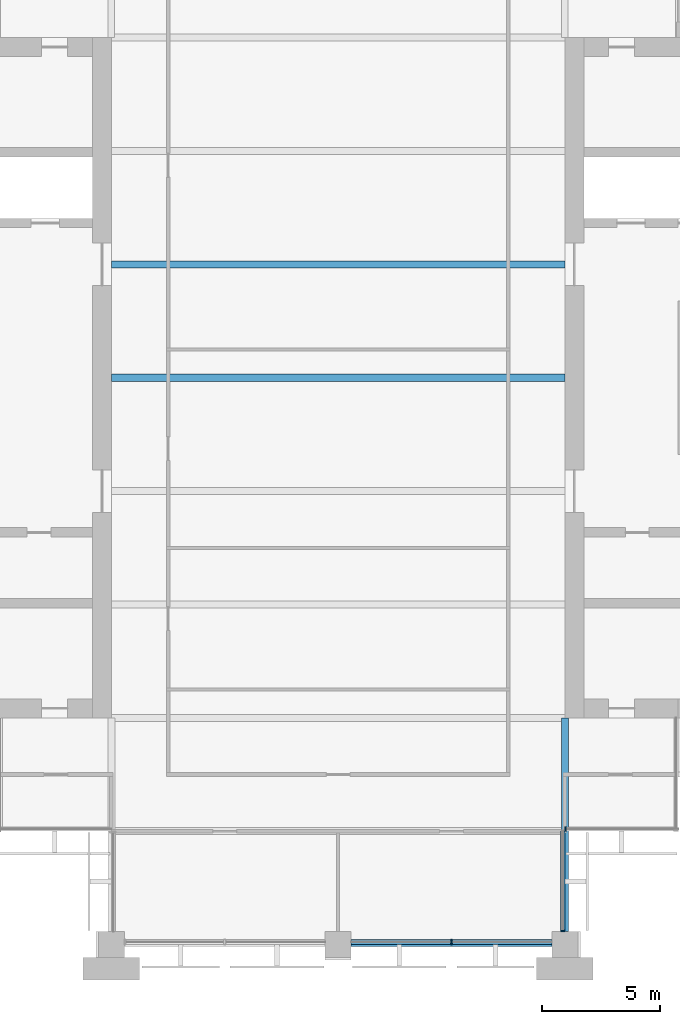
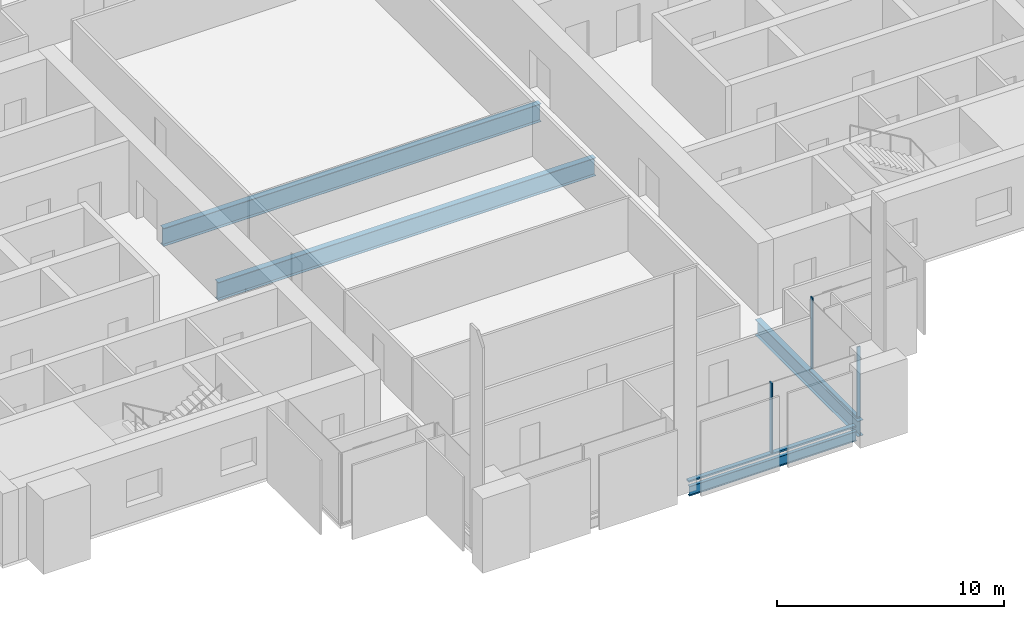
# One storey, part 3 of 13: 5 members, 4 beams, 3 elements without a shape of their own.
"""IFC4 building model written with IfcOpenShell, lengths in metres."""

import ifcopenshell
import ifcopenshell.guid

model = None  # the IFC model being written
_history = None  # IfcOwnerHistory: only IFC2X3 demands one
_inside = {}  # id of a spatial element -> (the spatial element, [elements in it])
_under = {}  # id of a project, library or spatial element -> (it, [spatial elements below it])
_declared = {}  # id of a project -> (the project, [libraries it declares])
_typed = {}  # id of a type object -> (the type object, [elements of that type])
_made_of = {}  # id of a material, layer set ... -> (it, [elements and type objects made of it])


def new_model(schema):
    """Start an empty IFC model of exactly this schema.

    Asked for "IFC4X3", IfcOpenShell would pick the latest addendum, in which some entities
    have other attributes; the version numbers below select the first issue.
    IFC2X3 requires an IfcOwnerHistory on every rooted entity: one is made here for all.
    """
    global model, _history
    if schema == "IFC4X3":
        model = ifcopenshell.file(schema_version=(4, 3, 0, 0))
    else:
        model = ifcopenshell.file(schema=schema)
    _inside.clear()
    _under.clear()
    _declared.clear()
    _typed.clear()
    _made_of.clear()
    _history = None
    if model.schema == "IFC2X3":
        org = make("IfcOrganization", Name="unknown")
        user = make(
            "IfcPersonAndOrganization",
            ThePerson=make("IfcPerson", FamilyName="unknown"),
            TheOrganization=org,
        )
        app = make(
            "IfcApplication",
            ApplicationDeveloper=org,
            Version="unknown",
            ApplicationFullName="unknown",
            ApplicationIdentifier="unknown",
        )
        _history = make(
            "IfcOwnerHistory",
            OwningUser=user,
            OwningApplication=app,
            ChangeAction="ADDED",
            CreationDate=0,
        )
    return model


def make(cls, **values):
    """One entity of the class cls with the attributes given. An attribute that is None is left unset."""
    return model.create_entity(
        cls, **{name: value for name, value in values.items() if value is not None}
    )


def rooted(cls, **values):
    """An entity with a GlobalId (a new one), such as an element, a storey or a relation."""
    return make(cls, GlobalId=ifcopenshell.guid.new(), OwnerHistory=_history, **values)


def si_unit(unit_type, name, prefix=None):
    """IfcSIUnit, for example si_unit("LENGTHUNIT", "METRE", prefix="MILLI")."""
    return make("IfcSIUnit", UnitType=unit_type, Prefix=prefix, Name=name)


def assignment(units):
    """IfcUnitAssignment: the units of a project."""
    return None if units is None else make("IfcUnitAssignment", Units=units)


def point(xyz):
    """IfcCartesianPoint."""
    return None if xyz is None else make("IfcCartesianPoint", Coordinates=xyz)


def direction(xyz):
    """IfcDirection."""
    return None if xyz is None else make("IfcDirection", DirectionRatios=xyz)


def frame(location, z_axis=None, x_axis=None):
    """IfcAxis2Placement3D, a coordinate frame: its origin and axes. An axis left out is left unset."""
    return make(
        "IfcAxis2Placement3D",
        Location=point(location),
        Axis=direction(z_axis),
        RefDirection=direction(x_axis),
    )


def frame_2d(location, x_axis=None):
    """IfcAxis2Placement2D, a coordinate frame in the plane: its origin and x axis."""
    return make(
        "IfcAxis2Placement2D", Location=point(location), RefDirection=direction(x_axis)
    )


def origin():
    """The frame at (0, 0, 0) with its axes left unset."""
    return frame((0.0, 0.0, 0.0))


def origin_2d():
    """The frame at (0, 0) in the plane with its x axis left unset."""
    return frame_2d((0.0, 0.0))


def place(relative_to, where):
    """IfcLocalPlacement: puts the frame where relative to a parent placement (None: the world)."""
    return make(
        "IfcLocalPlacement", PlacementRelTo=relative_to, RelativePlacement=where
    )


def context(
    kind, dimensions, precision=None, world=None, true_north=None, identifier=None
):
    """IfcGeometricRepresentationContext, for example the 3D "Model" context."""
    return make(
        "IfcGeometricRepresentationContext",
        ContextIdentifier=identifier,
        ContextType=kind,
        CoordinateSpaceDimension=dimensions,
        Precision=precision,
        WorldCoordinateSystem=world,
        TrueNorth=true_north,
    )


def subcontext(parent, identifier, kind, view, scale=None):
    """IfcGeometricRepresentationSubContext, for example "Body" below "Model"."""
    return make(
        "IfcGeometricRepresentationSubContext",
        ContextIdentifier=identifier,
        ContextType=kind,
        ParentContext=parent,
        TargetScale=scale,
        TargetView=view,
    )


def project(units=None, contexts=None):
    """IfcProject with its units and contexts."""
    return rooted(
        "IfcProject",
        Name="project",
        RepresentationContexts=contexts,
        UnitsInContext=assignment(units),
    )


def spatial(cls, under=None, at=None, **own):
    """A site, building, storey or space (cls), placed at a placement, below another one or the project."""
    s = rooted(cls, ObjectPlacement=at, **own)
    if under is not None:
        _under.setdefault(under.id(), (under, []))[1].append(s)
    return s


def profile(cls, at=None, kind="AREA", **sizes):
    """A parametric profile (cls). Its sizes go by their IFC names, for example OverallWidth=200.0."""
    return make(cls, ProfileType=kind, Position=at, **sizes)


def rectangle(**sizes):
    """IfcRectangleProfileDef."""
    return profile("IfcRectangleProfileDef", **sizes)


def i_section(**sizes):
    """IfcIShapeProfileDef."""
    return profile("IfcIShapeProfileDef", **sizes)


def extrude(swept, where, along, depth):
    """IfcExtrudedAreaSolid: the profile swept, set in the frame where, extruded along a direction by depth."""
    return make(
        "IfcExtrudedAreaSolid",
        SweptArea=swept,
        Position=where,
        ExtrudedDirection=direction(along),
        Depth=depth,
    )


def shape(context_of_items, identifier, shape_type, items):
    """IfcShapeRepresentation: the items that make up one representation, for example the "Body"."""
    return make(
        "IfcShapeRepresentation",
        ContextOfItems=context_of_items,
        RepresentationIdentifier=identifier,
        RepresentationType=shape_type,
        Items=items,
    )


def material(Name=None, Category=None):
    """IfcMaterial."""
    return make("IfcMaterial", Name=Name, Category=Category)


def material_profile(
    of_material, cross_section, Name=None, Category=None, Priority=None
):
    """IfcMaterialProfile: a cross section and its material."""
    return make(
        "IfcMaterialProfile",
        Name=Name,
        Material=of_material,
        Profile=cross_section,
        Priority=Priority,
        Category=Category,
    )


def profile_set(profiles, Name=None, composite=None):
    """IfcMaterialProfileSet."""
    return make(
        "IfcMaterialProfileSet",
        Name=Name,
        MaterialProfiles=profiles,
        CompositeProfile=composite,
    )


def made_of(thing, what):
    """Note that an element or type object is made of a material, layer set ...; save() writes the relation."""
    if what is not None:
        _made_of.setdefault(what.id(), (what, []))[1].append(thing)
    return thing


def type_object(cls, material=None, **own):
    """A type object (cls), such as IfcWallType, which elements share."""
    return made_of(rooted(cls, **own), material)


def element(
    cls,
    number,
    at=None,
    inside=None,
    cuts=None,
    type_object=None,
    material=None,
    context=None,
    identifier="Body",
    shape_type=None,
    held_by="IfcProductDefinitionShape",
    body=None,
    shapes=None,
    **own,
):
    """One element of the class cls, such as IfcWall. Its Tag is "e" and its number.

    at: its placement. inside: the storey or other place that contains it. cuts: it is an
    opening in that element (IfcRelVoidsElement). A single representation is given by context,
    identifier, shape_type and body (its items); several are given by shapes. held_by: the class
    of the entity that holds the representations. save() writes the other relations.
    """
    e = rooted(cls, Tag="e%d" % number, ObjectPlacement=at, **own)
    if body is not None:
        shapes = [shape(context, identifier, shape_type, body)]
    if shapes is not None:
        e.Representation = make(held_by, Representations=shapes)
    if inside is not None:
        _inside.setdefault(inside.id(), (inside, []))[1].append(e)
    if cuts is not None:
        rooted(
            "IfcRelVoidsElement", RelatingBuildingElement=cuts, RelatedOpeningElement=e
        )
    if type_object is not None:
        _typed.setdefault(type_object.id(), (type_object, []))[1].append(e)
    return made_of(e, material)


def aggregate(whole, parts):
    """IfcRelAggregates: a whole, such as a stair, and the parts it consists of."""
    return rooted("IfcRelAggregates", RelatingObject=whole, RelatedObjects=parts)


def save(model, path):
    """Write the relations noted so far, then the file.

    IfcRelAggregates (storeys below a building ...), IfcRelContainedInSpatialStructure (elements
    in a storey), IfcRelDefinesByType, IfcRelAssociatesMaterial and IfcRelDeclares: one each for
    every whole, place, type object, material and project.
    """
    for whole, parts in _under.values():
        aggregate(whole, parts)
    for where, things in _inside.values():
        rooted(
            "IfcRelContainedInSpatialStructure",
            RelatedElements=things,
            RelatingStructure=where,
        )
    for kind, things in _typed.values():
        rooted("IfcRelDefinesByType", RelatedObjects=things, RelatingType=kind)
    for what, things in _made_of.values():
        rooted("IfcRelAssociatesMaterial", RelatedObjects=things, RelatingMaterial=what)
    for by, libraries in _declared.values():
        rooted("IfcRelDeclares", RelatingContext=by, RelatedDefinitions=libraries)
    model.write(path)


model = new_model("IFC4")

# Units and contexts
model_context = context("Model", 3, precision=1e-05, world=origin(), true_north=direction((0.0, 1.0)))
body_context = subcontext(model_context, "Body", "Model", "MODEL_VIEW")
ifc_project = project(units=[si_unit("LENGTHUNIT", "METRE"), si_unit("AREAUNIT", "SQUARE_METRE"), si_unit("VOLUMEUNIT", "CUBIC_METRE"), si_unit("PLANEANGLEUNIT", "RADIAN"), si_unit("MASSUNIT", "GRAM", prefix="KILO")], contexts=[model_context])

# Site, building, storey
site_placement = place(None, origin())
site = spatial("IfcSite", under=ifc_project, at=site_placement, CompositionType="ELEMENT")
building_placement = place(site_placement, origin())
building = spatial("IfcBuilding", under=site, at=building_placement, Name="Baori Bourse Tower", CompositionType="ELEMENT")
storey_placement = place(building_placement, frame((0.0, 0.0, 249.199951171875)))
storey = spatial("IfcBuildingStorey", under=building, at=storey_placement, Name="L55", CompositionType="ELEMENT", Elevation=249.199951171875)

# Curtain wall, member
ifc_material_1 = material(Name="Pale anodised aluminium", Category="aluminium")
curtain_wall_type_1 = type_object("IfcCurtainWallType", Name="CW2 Curtain wall", PredefinedType="NOTDEFINED", material=ifc_material_1)
curtain_wall_1_placement = place(storey_placement, origin())
curtain_wall_1 = element("IfcCurtainWall", 1, at=curtain_wall_1_placement, inside=storey, type_object=curtain_wall_type_1, Name="Curtain wall CW2 L55 12", PredefinedType="NOTDEFINED")
ifc_material_2 = material(Name="Pale anodised aluminium", Category="aluminium")
ifc_material_profile_1 = material_profile(ifc_material_2, rectangle(XDim=0.179931640625, YDim=0.054931640625, at=origin_2d()), Name="Mullion 55x180")
ifc_profile_set_1 = profile_set([ifc_material_profile_1], Name="Pale anodised aluminium")
member_type_1 = type_object("IfcMemberType", Name="CW2 Curtain wall mullion", PredefinedType="MULLION", material=ifc_profile_set_1)
member_1_placement = place(storey_placement, frame((38.31005859375, 0.577392578125, 0.070068359375), z_axis=(0.0, 0.0, 1.0), x_axis=(-1.0, 0.0, 0.0)))
member_1 = element("IfcMember", 2, at=member_1_placement, type_object=member_type_1, Name="Curtain wall CW2 mullion", PredefinedType="MULLION", context=body_context, shape_type="SweptSolid", body=[
    extrude(rectangle(XDim=0.179931640625, YDim=0.054931640625, at=origin_2d()), origin(), (0.0, 0.0, 1.0), 3.77001953125),
])

curtain_wall_2_placement = place(storey_placement, origin())
curtain_wall_2 = element("IfcCurtainWall", 3, at=curtain_wall_2_placement, inside=storey, type_object=curtain_wall_type_1, Name="Curtain wall CW2 L55 13", PredefinedType="NOTDEFINED")
member_2_placement = place(storey_placement, frame((38.427490234375, 4.889892578125, 0.070068359375), z_axis=(0.0, 0.0, 1.0), x_axis=(0.0, 1.0, 0.0)))
member_2 = element("IfcMember", 4, at=member_2_placement, type_object=member_type_1, Name="Curtain wall CW2 mullion", PredefinedType="MULLION", context=body_context, shape_type="SweptSolid", body=[
    extrude(rectangle(XDim=0.179931640625, YDim=0.054931640625, at=origin_2d()), origin(), (0.0, 0.0, 1.0), 3.77001953125),
])
aggregate(curtain_wall_2, [member_2])

# Member
ifc_material_3 = material(Name="Pale anodised aluminium", Category="aluminium")
ifc_material_profile_2 = material_profile(ifc_material_3, rectangle(XDim=0.179931640625, YDim=0.070068359375, at=origin_2d()), Name="Transom 70x180")
ifc_profile_set_2 = profile_set([ifc_material_profile_2], Name="Pale anodised aluminium")
member_type_2 = type_object("IfcMemberType", Name="CW2 Curtain wall transom", PredefinedType="USERDEFINED", material=ifc_profile_set_2)
member_3_placement = place(storey_placement, frame((38.31005859375, 0.550048828125, 0.03515625), z_axis=(0.0, 1.0, 0.0), x_axis=(-1.0, 0.0, 0.0)))
member_3 = element("IfcMember", 5, at=member_3_placement, type_object=member_type_2, Name="Curtain wall CW2 sill rail", ObjectType="TRANSOM", PredefinedType="USERDEFINED", context=body_context, shape_type="SweptSolid", body=[
    extrude(rectangle(XDim=0.179931640625, YDim=0.070068359375, at=origin_2d()), origin(), (0.0, 0.0, 1.0), 4.25),
])

aggregate(curtain_wall_1, [member_3, member_1])

# Curtain wall, members
ifc_material_4 = material(Name="Pale anodised aluminium", Category="aluminium")
curtain_wall_type_2 = type_object("IfcCurtainWallType", Name="CW5 Curtain wall", PredefinedType="NOTDEFINED", material=ifc_material_4)
curtain_wall_3_placement = place(storey_placement, origin())
curtain_wall_3 = element("IfcCurtainWall", 6, at=curtain_wall_3_placement, inside=storey, type_object=curtain_wall_type_2, Name="Curtain wall CW5 L55 11", PredefinedType="NOTDEFINED")
ifc_material_5 = material(Name="Pale anodised aluminium", Category="aluminium")
ifc_material_profile_3 = material_profile(ifc_material_5, rectangle(XDim=0.219970703125, YDim=0.06494140625, at=origin_2d()), Name="Mullion 65x220")
ifc_profile_set_3 = profile_set([ifc_material_profile_3], Name="Pale anodised aluminium")
member_type_3 = type_object("IfcMemberType", Name="CW5 Curtain wall mullion", PredefinedType="MULLION", material=ifc_profile_set_3)
member_4_placement = place(storey_placement, frame((33.60009765625, 0.110107421875, 0.0849609375), z_axis=(0.0, 0.0, 1.0), x_axis=(0.0, 1.0, 0.0)))
member_4 = element("IfcMember", 7, at=member_4_placement, type_object=member_type_3, Name="Curtain wall CW5 mullion", PredefinedType="MULLION", context=body_context, shape_type="SweptSolid", body=[
    extrude(rectangle(XDim=0.219970703125, YDim=0.06494140625, at=origin_2d()), origin(), (0.0, 0.0, 1.0), 3.755126953125),
])
ifc_material_6 = material(Name="Pale anodised aluminium", Category="aluminium")
ifc_material_profile_4 = material_profile(ifc_material_6, rectangle(XDim=0.219970703125, YDim=0.0849609375, at=origin_2d()), Name="Transom 85x220")
ifc_profile_set_4 = profile_set([ifc_material_profile_4], Name="Pale anodised aluminium")
member_type_4 = type_object("IfcMemberType", Name="CW5 Curtain wall transom", PredefinedType="USERDEFINED", material=ifc_profile_set_4)
member_5_placement = place(storey_placement, frame((29.35009765625, 0.110107421875, 0.04248046875), z_axis=(1.0, 0.0, 0.0), x_axis=(0.0, 1.0, 0.0)))
member_5 = element("IfcMember", 8, at=member_5_placement, type_object=member_type_4, Name="Curtain wall CW5 sill rail", ObjectType="TRANSOM", PredefinedType="USERDEFINED", context=body_context, shape_type="SweptSolid", body=[
    extrude(rectangle(XDim=0.219970703125, YDim=0.0849609375, at=origin_2d()), origin(), (0.0, 0.0, 1.0), 8.5),
])
aggregate(curtain_wall_3, [member_5, member_4])

# Beams
ifc_material_7 = material(Name="Steel A992 Gr 50", Category="steel")
ifc_material_profile_5 = material_profile(ifc_material_7, i_section(OverallWidth=0.1650390625, OverallDepth=0.52587890625, WebThickness=0.0087890625, FlangeThickness=0.011474609375, at=origin_2d()), Name="W21x44")
ifc_profile_set_5 = profile_set([ifc_material_profile_5], Name="Steel A992 Gr 50")
beam_type_1 = type_object("IfcBeamType", Name="Edge beam W21x44", PredefinedType="BEAM", material=ifc_profile_set_5)
beam_1_placement = place(storey_placement, frame((29.35009765625, 0.0, -0.4228515625), z_axis=(1.0, 0.0, 0.0), x_axis=(0.0, 1.0, 0.0)))
element("IfcBeam", 9, at=beam_1_placement, inside=storey, type_object=beam_type_1, Name="Edge beam L55", PredefinedType="BEAM", context=body_context, shape_type="SweptSolid", body=[
    extrude(i_section(OverallWidth=0.1650390625, OverallDepth=0.52587890625, WebThickness=0.0087890625, FlangeThickness=0.011474609375, at=origin_2d()), origin(), (0.0, 0.0, 1.0), 8.5),
])
ifc_material_8 = material(Name="Steel A992 Gr 50", Category="steel")
ifc_material_profile_6 = material_profile(ifc_material_8, i_section(OverallWidth=0.2998046875, OverallDepth=0.97021484375, WebThickness=0.01611328125, FlangeThickness=0.02099609375, at=origin_2d()), Name="W40x149")
ifc_profile_set_6 = profile_set([ifc_material_profile_6], Name="Steel A992 Gr 50")
beam_type_2 = type_object("IfcBeamType", Name="Floor beam W40x149", PredefinedType="BEAM", material=ifc_profile_set_6)
for number, where, z_axis, x_axis, name in (
    (10, (19.199951171875, 24.0, -0.64501953125), (1.0, 0.0, 0.0), (0.0, 1.0, 0.0), "Floor beam L55"),
    (11, (19.199951171875, 28.800048828125, -0.64501953125), (1.0, 0.0, 0.0), (0.0, 1.0, 0.0), "Floor beam L55"),
):
    element("IfcBeam", number, at=place(storey_placement, frame(where, z_axis=z_axis, x_axis=x_axis)), inside=storey, type_object=beam_type_2, Name=name, PredefinedType="BEAM", context=body_context, shape_type="SweptSolid", body=[
        extrude(i_section(OverallWidth=0.2998046875, OverallDepth=0.97021484375, WebThickness=0.01611328125, FlangeThickness=0.02099609375, at=origin_2d()), origin(), (0.0, 0.0, 1.0), 19.199951171875),
    ])
ifc_material_9 = material(Name="Steel A992 Gr 50", Category="steel")
ifc_material_profile_7 = material_profile(ifc_material_9, i_section(OverallWidth=0.2919921875, OverallDepth=0.835693359375, WebThickness=0.013916015625, FlangeThickness=0.018798828125, at=origin_2d()), Name="W33x118")
ifc_profile_set_7 = profile_set([ifc_material_profile_7], Name="Steel A992 Gr 50")
beam_type_3 = type_object("IfcBeamType", Name="Girder W33x118", PredefinedType="BEAM", material=ifc_profile_set_7)
beam_2_placement = place(storey_placement, frame((38.39990234375, 0.550048828125, -0.577880859375), z_axis=(0.0, 1.0, 0.0), x_axis=(-1.0, 0.0, 0.0)))
element("IfcBeam", 12, at=beam_2_placement, inside=storey, type_object=beam_type_3, Name="Girder L55", PredefinedType="BEAM", context=body_context, shape_type="SweptSolid", body=[
    extrude(i_section(OverallWidth=0.2919921875, OverallDepth=0.835693359375, WebThickness=0.013916015625, FlangeThickness=0.018798828125, at=origin_2d()), origin(), (0.0, 0.0, 1.0), 9.050048828125),
])

save(model, "model.ifc")
